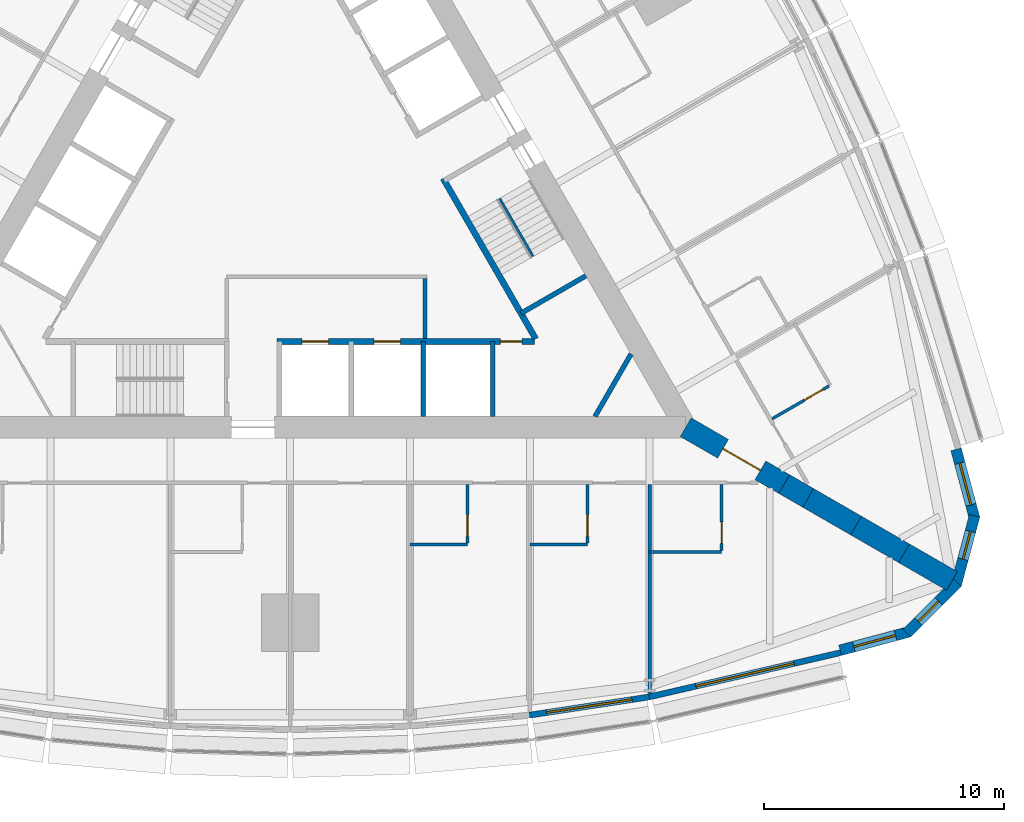
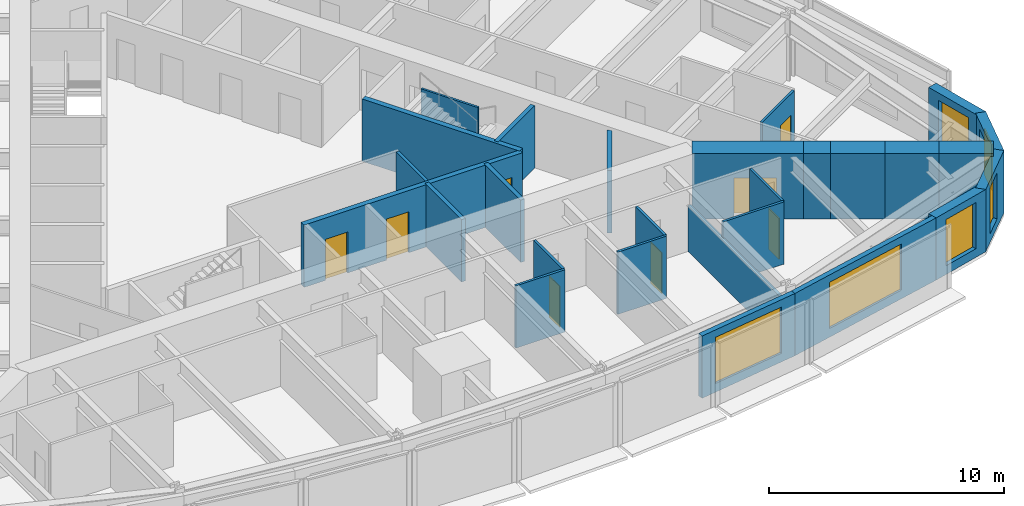
# One storey, part 10 of 14: 27 walls, 8 doors, 6 windows, 14 openings.
"""IFC4 building model written with IfcOpenShell, lengths in metres."""

from ifc_helpers import new_model, si_unit, direction, frame, frame_2d, origin, place, context, subcontext, project, spatial, polyline, rectangle, outline, extrude, material, layer, layer_set, type_object, element, fill, save


model = new_model("IFC4")

# Units and contexts
model_context = context("Model", 3, precision=1e-05, world=origin(), true_north=direction((0.0, 1.0)))
body_context = subcontext(model_context, "Body", "Model", "MODEL_VIEW")
ifc_project = project(units=[si_unit("LENGTHUNIT", "METRE"), si_unit("AREAUNIT", "SQUARE_METRE"), si_unit("VOLUMEUNIT", "CUBIC_METRE"), si_unit("PLANEANGLEUNIT", "RADIAN"), si_unit("MASSUNIT", "GRAM", prefix="KILO")], contexts=[model_context])

# Site, building, storey
site_placement = place(None, origin())
site = spatial("IfcSite", under=ifc_project, at=site_placement, CompositionType="ELEMENT")
building_placement = place(site_placement, origin())
building = spatial("IfcBuilding", under=site, at=building_placement, Name="Trikona Tower", CompositionType="ELEMENT")
storey_placement = place(building_placement, frame((0.0, 0.0, 79.5)))
storey = spatial("IfcBuildingStorey", under=building, at=storey_placement, Name="L20", CompositionType="ELEMENT", Elevation=79.5)

# Wall
ifc_material_1 = material(Name="Metal stud and cement board", Category="gypsum")
ifc_layer_1 = layer(ifc_material_1, 0.1201171875)
ifc_layer_set_1 = layer_set([ifc_layer_1], Name="Bathroom wall 120")
wall_type_1 = type_object("IfcWallType", Name="Bathroom wall 120", PredefinedType="PLUMBINGWALL", material=ifc_layer_set_1)
wall_1_placement = place(storey_placement, frame((5.0, -14.42626953125, 0.0), z_axis=(0.0, 0.0, 1.0), x_axis=(1.0, 0.0, 0.0)))
element("IfcWall", 1, at=wall_1_placement, inside=storey, type_object=wall_type_1, Name="Bathroom wall 2004", PredefinedType="PLUMBINGWALL", context=body_context, shape_type="SweptSolid", body=[
    extrude(rectangle(XDim=2.39990234375, YDim=0.1201171875, at=frame_2d((1.199951171875, 0.0))), origin(), (0.0, 0.0, 1.0), 3.235107421875),
])

# Wall, opening, door
wall_2_placement = place(storey_placement, frame((7.39990234375, -11.92626953125, 0.0), z_axis=(0.0, 0.0, 1.0), x_axis=(0.0, -1.0, 0.0)))
wall_2 = element("IfcWall", 2, at=wall_2_placement, inside=storey, type_object=wall_type_1, Name="Bathroom wall 2004", PredefinedType="PLUMBINGWALL", context=body_context, shape_type="SweptSolid", body=[
    extrude(rectangle(XDim=2.43994140625, YDim=0.1201171875, at=frame_2d((1.219970703125, 0.0))), origin(), (0.0, 0.0, 1.0), 3.235107421875),
])
opening_1_placement = place(wall_2_placement, frame((1.25, 0.0, 0.0)))
opening_1 = element("IfcOpeningElement", 3, at=opening_1_placement, cuts=wall_2, Name="Opening D2", PredefinedType="OPENING", context=body_context, shape_type="SweptSolid", body=[
    extrude(rectangle(XDim=0.89990234375, YDim=2.1298828125, at=frame_2d((0.449951171875, 1.06494140625))), frame((0.0, 0.070068359375, 0.0), z_axis=(0.0, -1.0, 0.0), x_axis=(1.0, 0.0, 0.0)), (0.0, 0.0, 1.0), 0.14013671875),
])
ifc_material_2 = material(Name="Steel door frame with solid-core timber leaf", Category="steel")
door_type_1 = type_object("IfcDoorType", Name="Bathroom door 900x2130", OperationType="SLIDING_TO_LEFT", PredefinedType="DOOR", material=ifc_material_2)
door_1_placement = place(opening_1_placement, origin())
door_1 = element("IfcDoor", 4, at=door_1_placement, inside=storey, type_object=door_type_1, Name="Bathroom door 2004", OperationType="SLIDING_TO_LEFT", OverallHeight=2.1298828125, OverallWidth=0.89990234375, PredefinedType="DOOR", context=body_context, shape_type="SweptSolid", body=[
    extrude(rectangle(XDim=0.89990234375, YDim=2.1298828125, at=frame_2d((0.449951171875, 1.06494140625))), frame((0.0, 0.02490234375, 0.0), z_axis=(0.0, -1.0, 0.0), x_axis=(1.0, 0.0, 0.0)), (0.0, 0.0, 1.0), 0.050048828125),
])
fill(opening_1, door_1)

# Wall
wall_3_placement = place(storey_placement, frame((10.0, -14.42626953125, 0.0), z_axis=(0.0, 0.0, 1.0), x_axis=(1.0, 0.0, 0.0)))
element("IfcWall", 5, at=wall_3_placement, inside=storey, type_object=wall_type_1, Name="Bathroom wall 2005", PredefinedType="PLUMBINGWALL", context=body_context, shape_type="SweptSolid", body=[
    extrude(rectangle(XDim=2.39990234375, YDim=0.1201171875, at=frame_2d((1.199951171875, 0.0))), origin(), (0.0, 0.0, 1.0), 3.235107421875),
])

# Wall, opening, door
wall_4_placement = place(storey_placement, frame((12.39990234375, -11.92626953125, 0.0), z_axis=(0.0, 0.0, 1.0), x_axis=(0.0, -1.0, 0.0)))
wall_4 = element("IfcWall", 6, at=wall_4_placement, inside=storey, type_object=wall_type_1, Name="Bathroom wall 2005", PredefinedType="PLUMBINGWALL", context=body_context, shape_type="SweptSolid", body=[
    extrude(rectangle(XDim=2.43994140625, YDim=0.1201171875, at=frame_2d((1.219970703125, 0.0))), origin(), (0.0, 0.0, 1.0), 3.235107421875),
])
opening_2_placement = place(wall_4_placement, frame((1.25, 0.0, 0.0)))
opening_2 = element("IfcOpeningElement", 7, at=opening_2_placement, cuts=wall_4, Name="Opening D2", PredefinedType="OPENING", context=body_context, shape_type="SweptSolid", body=[
    extrude(rectangle(XDim=0.89990234375, YDim=2.1298828125, at=frame_2d((0.449951171875, 1.06494140625))), frame((0.0, 0.070068359375, 0.0), z_axis=(0.0, -1.0, 0.0), x_axis=(1.0, 0.0, 0.0)), (0.0, 0.0, 1.0), 0.14013671875),
])
door_2_placement = place(opening_2_placement, origin())
door_2 = element("IfcDoor", 8, at=door_2_placement, inside=storey, type_object=door_type_1, Name="Bathroom door 2005", OperationType="SLIDING_TO_LEFT", OverallHeight=2.1298828125, OverallWidth=0.89990234375, PredefinedType="DOOR", context=body_context, shape_type="SweptSolid", body=[
    extrude(rectangle(XDim=0.89990234375, YDim=2.1298828125, at=frame_2d((0.449951171875, 1.06494140625))), frame((0.0, 0.02490234375, 0.0), z_axis=(0.0, -1.0, 0.0), x_axis=(1.0, 0.0, 0.0)), (0.0, 0.0, 1.0), 0.050048828125),
])
fill(opening_2, door_2)

# Wall
wall_5_placement = place(storey_placement, frame((15.0, -14.726318359375, 0.0), z_axis=(0.0, 0.0, 1.0), x_axis=(1.0, 0.0, 0.0)))
element("IfcWall", 9, at=wall_5_placement, inside=storey, type_object=wall_type_1, Name="Bathroom wall 2006", PredefinedType="PLUMBINGWALL", context=body_context, shape_type="SweptSolid", body=[
    extrude(rectangle(XDim=3.0, YDim=0.1201171875, at=frame_2d((1.5, 0.0))), origin(), (0.0, 0.0, 1.0), 3.235107421875),
])

# Wall, opening, door
wall_6_placement = place(storey_placement, frame((18.0, -11.92626953125, 0.0), z_axis=(0.0, 0.0, 1.0), x_axis=(0.0, -1.0, 0.0)))
wall_6 = element("IfcWall", 10, at=wall_6_placement, inside=storey, type_object=wall_type_1, Name="Bathroom wall 2006", PredefinedType="PLUMBINGWALL", context=body_context, shape_type="SweptSolid", body=[
    extrude(rectangle(XDim=2.739990234375, YDim=0.1201171875, at=frame_2d((1.3701171875, 0.0))), origin(), (0.0, 0.0, 1.0), 3.235107421875),
])
opening_3_placement = place(wall_6_placement, frame((1.550048828125, 0.0, 0.0)))
opening_3 = element("IfcOpeningElement", 11, at=opening_3_placement, cuts=wall_6, Name="Opening D2", PredefinedType="OPENING", context=body_context, shape_type="SweptSolid", body=[
    extrude(rectangle(XDim=0.89990234375, YDim=2.1298828125, at=frame_2d((0.449951171875, 1.06494140625))), frame((0.0, 0.070068359375, 0.0), z_axis=(0.0, -1.0, 0.0), x_axis=(1.0, 0.0, 0.0)), (0.0, 0.0, 1.0), 0.14013671875),
])
door_3_placement = place(opening_3_placement, origin())
door_3 = element("IfcDoor", 12, at=door_3_placement, inside=storey, type_object=door_type_1, Name="Bathroom door 2006", OperationType="SLIDING_TO_LEFT", OverallHeight=2.1298828125, OverallWidth=0.89990234375, PredefinedType="DOOR", context=body_context, shape_type="SweptSolid", body=[
    extrude(rectangle(XDim=0.89990234375, YDim=2.1298828125, at=frame_2d((0.449951171875, 1.06494140625))), frame((0.0, 0.02490234375, 0.0), z_axis=(0.0, -1.0, 0.0), x_axis=(1.0, 0.0, 0.0)), (0.0, 0.0, 1.0), 0.050048828125),
])
fill(opening_3, door_3)

wall_7_placement = place(storey_placement, frame((20.10791015625, -9.17529296875, 0.0), z_axis=(0.0, 0.0, 1.0), x_axis=(0.866035715982, 0.499982138324, 0.0)))
wall_7 = element("IfcWall", 13, at=wall_7_placement, inside=storey, type_object=wall_type_1, Name="Bathroom wall 2007", PredefinedType="PLUMBINGWALL", context=body_context, shape_type="SweptSolid", body=[
    extrude(rectangle(XDim=2.73974609375, YDim=0.1201171875, at=frame_2d((1.369873046875, 0.0))), origin(), (0.0, 0.0, 1.0), 3.235107421875),
])
opening_4_placement = place(wall_7_placement, frame((1.550048828125, 0.0, 0.0)))
opening_4 = element("IfcOpeningElement", 14, at=opening_4_placement, cuts=wall_7, Name="Opening D2", PredefinedType="OPENING", context=body_context, shape_type="SweptSolid", body=[
    extrude(rectangle(XDim=0.89990234375, YDim=2.1298828125, at=frame_2d((0.449951171875, 1.06494140625))), frame((0.0, 0.070068359375, 0.0), z_axis=(0.0, -1.0, 0.0), x_axis=(1.0, 0.0, 0.0)), (0.0, 0.0, 1.0), 0.14013671875),
])
door_4_placement = place(opening_4_placement, origin())
door_4 = element("IfcDoor", 15, at=door_4_placement, inside=storey, type_object=door_type_1, Name="Bathroom door 2007", OperationType="SLIDING_TO_LEFT", OverallHeight=2.1298828125, OverallWidth=0.89990234375, PredefinedType="DOOR", context=body_context, shape_type="SweptSolid", body=[
    extrude(rectangle(XDim=0.89990234375, YDim=2.1298828125, at=frame_2d((0.449951171875, 1.06494140625))), frame((0.0, 0.02490234375, 0.0), z_axis=(0.0, -1.0, 0.0), x_axis=(1.0, 0.0, 0.0)), (0.0, 0.0, 1.0), 0.050048828125),
])
fill(opening_4, door_4)

# Wall, opening, window
ifc_material_3 = material(Name="Brick-faced precast concrete", Category="masonry")
ifc_layer_2 = layer(ifc_material_3, 0.449951171875)
ifc_layer_set_2 = layer_set([ifc_layer_2], Name="Brick-faced corner wall 450")
wall_type_2 = type_object("IfcWallType", Name="Brick-faced corner wall 450", PredefinedType="SOLIDWALL", material=ifc_layer_set_2)
wall_8_placement = place(storey_placement, frame((22.94189453125, -18.835205078125, 0.0), z_axis=(0.0, 0.0, 1.0), x_axis=(0.965930548995, 0.258801419081, 0.0)))
wall_8 = element("IfcWall", 16, at=wall_8_placement, inside=storey, type_object=wall_type_2, Name="External wall L20-08", PredefinedType="SOLIDWALL", context=body_context, shape_type="SweptSolid", body=[
    extrude(rectangle(XDim=2.988525390625, YDim=0.449951171875, at=frame_2d((1.494140625, 0.0))), origin(), (0.0, 0.0, 1.0), 3.235107421875),
])
opening_5_placement = place(wall_8_placement, frame((0.59423828125, 0.0, 0.449951171875)))
opening_5 = element("IfcOpeningElement", 17, at=opening_5_placement, cuts=wall_8, Name="Opening W1824", PredefinedType="OPENING", context=body_context, shape_type="SweptSolid", body=[
    extrude(rectangle(XDim=1.800048828125, YDim=2.39990234375, at=frame_2d((0.89990234375, 1.199951171875))), frame((0.0, 0.23486328125, 0.0), z_axis=(0.0, -1.0, 0.0), x_axis=(1.0, 0.0, 0.0)), (0.0, 0.0, 1.0), 0.469970703125),
])
ifc_material_4 = material(Name="Aluminium-framed double glazing", Category="aluminium")
window_type_1 = type_object("IfcWindowType", Name="Window 1800x2400", PartitioningType="SINGLE_PANEL", PredefinedType="WINDOW", material=ifc_material_4)
window_1_placement = place(opening_5_placement, origin())
window_1 = element("IfcWindow", 18, at=window_1_placement, inside=storey, type_object=window_type_1, Name="Window 2006", OverallHeight=2.39990234375, OverallWidth=1.800048828125, PartitioningType="SINGLE_PANEL", PredefinedType="WINDOW", context=body_context, shape_type="SweptSolid", body=[
    extrude(rectangle(XDim=1.800048828125, YDim=2.39990234375, at=frame_2d((0.89990234375, 1.199951171875))), frame((0.0, 0.030029296875, 0.0), z_axis=(0.0, -1.0, 0.0), x_axis=(1.0, 0.0, 0.0)), (0.0, 0.0, 1.0), 0.06005859375),
])
fill(opening_5, window_1)

wall_9_placement = place(storey_placement, frame((25.727783203125, -18.1201171875, 0.0), z_axis=(0.0, 0.0, 1.0), x_axis=(0.707025086683, 0.707188466253, 0.0)))
wall_9 = element("IfcWall", 19, at=wall_9_placement, inside=storey, type_object=wall_type_2, Name="External wall L20-09", PredefinedType="SOLIDWALL", context=body_context, shape_type="SweptSolid", body=[
    extrude(outline(polyline([(2.988525390625, 0.22509765625), (2.929931640625, 0.22509765625), (2.4375, 0.093017578125), (2.402099609375, 0.22509765625), (0.0, 0.22509765625), (0.0, -0.22509765625), (2.988525390625, -0.22509765625), (2.988525390625, 0.22509765625)])), origin(), (0.0, 0.0, 1.0), 3.235107421875),
])
opening_6_placement = place(wall_9_placement, frame((0.676025390625, 0.0, 0.449951171875)))
opening_6 = element("IfcOpeningElement", 20, at=opening_6_placement, cuts=wall_9, Name="Opening W1224", PredefinedType="OPENING", context=body_context, shape_type="SweptSolid", body=[
    extrude(rectangle(XDim=1.199951171875, YDim=2.39990234375, at=frame_2d((0.60009765625, 1.199951171875))), frame((0.0, 0.23486328125, 0.0), z_axis=(0.0, -1.0, 0.0), x_axis=(1.0, 0.0, 0.0)), (0.0, 0.0, 1.0), 0.469970703125),
])
ifc_material_5 = material(Name="Aluminium-framed double glazing", Category="aluminium")
window_type_2 = type_object("IfcWindowType", Name="Window 1200x2400", PartitioningType="SINGLE_PANEL", PredefinedType="WINDOW", material=ifc_material_5)
window_2_placement = place(opening_6_placement, origin())
window_2 = element("IfcWindow", 21, at=window_2_placement, inside=storey, type_object=window_type_2, Name="Window 2006", OverallHeight=2.39990234375, OverallWidth=1.199951171875, PartitioningType="SINGLE_PANEL", PredefinedType="WINDOW", context=body_context, shape_type="SweptSolid", body=[
    extrude(rectangle(XDim=1.199951171875, YDim=2.39990234375, at=frame_2d((0.60009765625, 1.199951171875))), frame((0.0, 0.030029296875, 0.0), z_axis=(0.0, -1.0, 0.0), x_axis=(1.0, 0.0, 0.0)), (0.0, 0.0, 1.0), 0.06005859375),
])
fill(opening_6, window_2)

wall_10_placement = place(storey_placement, frame((27.78271484375, -16.107666015625, 0.0), z_axis=(0.0, 0.0, 1.0), x_axis=(0.258801419081, 0.965930548995, 0.0)))
wall_10 = element("IfcWall", 22, at=wall_10_placement, inside=storey, type_object=wall_type_2, Name="External wall L20-10", PredefinedType="SOLIDWALL", context=body_context, shape_type="SweptSolid", body=[
    extrude(outline(polyline([(2.988525390625, 0.22509765625), (0.58642578125, 0.22509765625), (0.55126953125, 0.09326171875), (0.0595703125, 0.22509765625), (0.0, 0.22509765625), (0.0, -0.22509765625), (2.988525390625, -0.22509765625), (2.988525390625, 0.22509765625)])), origin(), (0.0, 0.0, 1.0), 3.235107421875),
])
opening_7_placement = place(wall_10_placement, frame((1.112548828125, 0.0, 0.449951171875)))
opening_7 = element("IfcOpeningElement", 23, at=opening_7_placement, cuts=wall_10, Name="Opening W1224", PredefinedType="OPENING", context=body_context, shape_type="SweptSolid", body=[
    extrude(rectangle(XDim=1.199951171875, YDim=2.39990234375, at=frame_2d((0.60009765625, 1.199951171875))), frame((0.0, 0.23486328125, 0.0), z_axis=(0.0, -1.0, 0.0), x_axis=(1.0, 0.0, 0.0)), (0.0, 0.0, 1.0), 0.469970703125),
])
window_3_placement = place(opening_7_placement, origin())
window_3 = element("IfcWindow", 24, at=window_3_placement, inside=storey, type_object=window_type_2, Name="Window 2007", OverallHeight=2.39990234375, OverallWidth=1.199951171875, PartitioningType="SINGLE_PANEL", PredefinedType="WINDOW", context=body_context, shape_type="SweptSolid", body=[
    extrude(rectangle(XDim=1.199951171875, YDim=2.39990234375, at=frame_2d((0.60009765625, 1.199951171875))), frame((0.0, 0.030029296875, 0.0), z_axis=(0.0, -1.0, 0.0), x_axis=(1.0, 0.0, 0.0)), (0.0, 0.0, 1.0), 0.06005859375),
])
fill(opening_7, window_3)

wall_11_placement = place(storey_placement, frame((28.55615234375, -13.33740234375, 0.0), z_axis=(0.0, 0.0, 1.0), x_axis=(-0.258780998834, 0.965936019953, 0.0)))
wall_11 = element("IfcWall", 25, at=wall_11_placement, inside=storey, type_object=wall_type_2, Name="External wall L20-11", PredefinedType="SOLIDWALL", context=body_context, shape_type="SweptSolid", body=[
    extrude(rectangle(XDim=2.98876953125, YDim=0.449951171875, at=frame_2d((1.494384765625, 0.0))), origin(), (0.0, 0.0, 1.0), 3.235107421875),
])
opening_8_placement = place(wall_11_placement, frame((0.59423828125, 0.0, 0.449951171875)))
opening_8 = element("IfcOpeningElement", 26, at=opening_8_placement, cuts=wall_11, Name="Opening W1824", PredefinedType="OPENING", context=body_context, shape_type="SweptSolid", body=[
    extrude(rectangle(XDim=1.800048828125, YDim=2.39990234375, at=frame_2d((0.89990234375, 1.199951171875))), frame((0.0, 0.23486328125, 0.0), z_axis=(0.0, -1.0, 0.0), x_axis=(1.0, 0.0, 0.0)), (0.0, 0.0, 1.0), 0.469970703125),
])
window_4_placement = place(opening_8_placement, origin())
window_4 = element("IfcWindow", 27, at=window_4_placement, inside=storey, type_object=window_type_1, Name="Window 2007", OverallHeight=2.39990234375, OverallWidth=1.800048828125, PartitioningType="SINGLE_PANEL", PredefinedType="WINDOW", context=body_context, shape_type="SweptSolid", body=[
    extrude(rectangle(XDim=1.800048828125, YDim=2.39990234375, at=frame_2d((0.89990234375, 1.199951171875))), frame((0.0, 0.030029296875, 0.0), z_axis=(0.0, -1.0, 0.0), x_axis=(1.0, 0.0, 0.0)), (0.0, 0.0, 1.0), 0.06005859375),
])
fill(opening_8, window_4)

# Wall, opening, door
ifc_material_6 = material(Name="Concrete f'c 10000 psi", Category="concrete")
ifc_layer_3 = layer(ifc_material_6, 0.89990234375)
ifc_layer_set_3 = layer_set([ifc_layer_3], Name="Buttress wall 900")
wall_type_3 = type_object("IfcWallType", Name="Buttress wall 900", PredefinedType="SHEAR", material=ifc_layer_set_3)
wall_12_placement = place(storey_placement, frame((16.5, -9.5263671875, 0.0), z_axis=(0.0, 0.0, 1.0), x_axis=(0.866031398331, -0.499989616998, 0.0)))
wall_12 = element("IfcWall", 28, at=wall_12_placement, inside=storey, type_object=wall_type_3, Name="Buttress wall 1", PredefinedType="SHEAR", context=body_context, shape_type="SweptSolid", body=[
    extrude(rectangle(XDim=4.74609375, YDim=0.89990234375, at=frame_2d((2.373046875, 0.0))), origin(), (0.0, 0.0, 1.0), 3.39990234375),
])
opening_9_placement = place(wall_12_placement, frame((1.800048828125, 0.0, 0.0)))
opening_9 = element("IfcOpeningElement", 29, at=opening_9_placement, cuts=wall_12, Name="Opening D10", PredefinedType="OPENING", context=body_context, shape_type="SweptSolid", body=[
    extrude(rectangle(XDim=1.800048828125, YDim=2.1298828125, at=frame_2d((0.89990234375, 1.06494140625))), frame((0.0, 0.4599609375, 0.0), z_axis=(0.0, -1.0, 0.0), x_axis=(1.0, 0.0, 0.0)), (0.0, 0.0, 1.0), 0.919921875),
])
ifc_material_7 = material(Name="Hollow metal door and frame", Category="steel")
door_type_2 = type_object("IfcDoorType", Name="Cross-corridor door pair 1800x2130", OperationType="DOUBLE_DOOR_DOUBLE_SWING", PredefinedType="DOOR", material=ifc_material_7)
door_5_placement = place(opening_9_placement, origin())
door_5 = element("IfcDoor", 30, at=door_5_placement, inside=storey, type_object=door_type_2, Name="Cross-corridor door 1", OperationType="DOUBLE_DOOR_DOUBLE_SWING", OverallHeight=2.1298828125, OverallWidth=1.800048828125, PredefinedType="DOOR", context=body_context, shape_type="SweptSolid", body=[
    extrude(rectangle(XDim=1.800048828125, YDim=2.1298828125, at=frame_2d((0.89990234375, 1.06494140625))), frame((0.0, 0.02490234375, 0.0), z_axis=(0.0, -1.0, 0.0), x_axis=(1.0, 0.0, 0.0)), (0.0, 0.0, 1.0), 0.050048828125),
])
fill(opening_9, door_5)

# Walls
wall_13_placement = place(storey_placement, frame((20.6103515625, -11.8994140625, 0.0), z_axis=(0.0, 0.0, 1.0), x_axis=(0.866009537788, -0.500027479704, 0.0)))
element("IfcWall", 31, at=wall_13_placement, inside=storey, type_object=wall_type_3, Name="Buttress wall 1 part 2", PredefinedType="SHEAR", context=body_context, shape_type="SweptSolid", body=[
    extrude(rectangle(XDim=1.15478515625, YDim=0.89990234375, at=frame_2d((0.577392578125, 0.0))), origin(), (0.0, 0.0, 1.0), 3.39990234375),
])
for number, where, z_axis, x_axis, name in (
    (32, (21.6103515625, -12.476806640625, 0.0), (0.0, 0.0, 1.0), (0.866055313784, -0.499948190782, 0.0), "Buttress wall 1 part 3"),
    (33, (23.6103515625, -13.63134765625, 0.0), (0.0, 0.0, 1.0), (0.866009537788, -0.500027479704, 0.0), "Buttress wall 1 part 4"),
    (34, (25.6103515625, -14.7861328125, 0.0), (0.0, 0.0, 1.0), (0.866009537788, -0.500027479704, 0.0), "Buttress wall 1 part 5"),
):
    element("IfcWall", number, at=place(storey_placement, frame(where, z_axis=z_axis, x_axis=x_axis)), inside=storey, type_object=wall_type_3, Name=name, PredefinedType="SHEAR", context=body_context, shape_type="SweptSolid", body=[
        extrude(rectangle(XDim=2.309326171875, YDim=0.89990234375, at=frame_2d((1.15478515625, 0.0))), origin(), (0.0, 0.0, 1.0), 3.39990234375),
    ])

# Wall, openings, doors
ifc_material_8 = material(Name="Concrete f'c 8000 psi", Category="concrete")
ifc_layer_4 = layer(ifc_material_8, 0.25)
ifc_layer_set_4 = layer_set([ifc_layer_4], Name="Hub wall 250")
wall_type_4 = type_object("IfcWallType", Name="Hub wall 250", PredefinedType="SOLIDWALL", material=ifc_layer_set_4)
wall_14_placement = place(storey_placement, frame((-0.550048828125, -5.951416015625, 0.0), z_axis=(0.0, 0.0, 1.0), x_axis=(1.0, 0.0, 0.0)))
wall_14 = element("IfcWall", 35, at=wall_14_placement, inside=storey, type_object=wall_type_4, Name="Lift lobby wall A2", PredefinedType="SOLIDWALL", context=body_context, shape_type="SweptSolid", body=[
    extrude(rectangle(XDim=10.73291015625, YDim=0.25, at=frame_2d((5.366455078125, 0.0))), origin(), (0.0, 0.0, 1.0), 3.235107421875),
])
opening_10_placement = place(wall_14_placement, frame((9.31396484375, 0.0, 0.0)))
opening_10 = element("IfcOpeningElement", 36, at=opening_10_placement, cuts=wall_14, Name="Opening D14", PredefinedType="OPENING", context=body_context, shape_type="SweptSolid", body=[
    extrude(rectangle(XDim=0.89990234375, YDim=2.1298828125, at=frame_2d((0.449951171875, 1.06494140625))), frame((0.0, 0.135009765625, 0.0), z_axis=(0.0, -1.0, 0.0), x_axis=(1.0, 0.0, 0.0)), (0.0, 0.0, 1.0), 0.27001953125),
])
opening_11_placement = place(wall_14_placement, frame((1.050048828125, 0.0, 0.0)))
opening_11 = element("IfcOpeningElement", 37, at=opening_11_placement, cuts=wall_14, Name="Opening LD", PredefinedType="OPENING", context=body_context, shape_type="SweptSolid", body=[
    extrude(rectangle(XDim=1.10009765625, YDim=2.1298828125, at=frame_2d((0.550048828125, 1.06494140625))), frame((0.0, 0.135009765625, 0.0), z_axis=(0.0, -1.0, 0.0), x_axis=(1.0, 0.0, 0.0)), (0.0, 0.0, 1.0), 0.27001953125),
])
opening_12_placement = place(wall_14_placement, frame((4.050048828125, 0.0, 0.0)))
opening_12 = element("IfcOpeningElement", 38, at=opening_12_placement, cuts=wall_14, Name="Opening LD", PredefinedType="OPENING", context=body_context, shape_type="SweptSolid", body=[
    extrude(rectangle(XDim=1.10009765625, YDim=2.1298828125, at=frame_2d((0.550048828125, 1.06494140625))), frame((0.0, 0.135009765625, 0.0), z_axis=(0.0, -1.0, 0.0), x_axis=(1.0, 0.0, 0.0)), (0.0, 0.0, 1.0), 0.27001953125),
])
ifc_material_9 = material(Name="Stainless steel lift landing door", Category="steel")
door_type_3 = type_object("IfcDoorType", Name="Lift landing door 1100x2130", OperationType="DOUBLE_DOOR_SLIDING", PredefinedType="USERDEFINED", material=ifc_material_9)
door_6_placement = place(opening_11_placement, origin())
door_6 = element("IfcDoor", 39, at=door_6_placement, inside=storey, type_object=door_type_3, Name="Lift landing door FF1", ObjectType="LIFT LANDING DOOR", OperationType="DOUBLE_DOOR_SLIDING", OverallHeight=2.1298828125, OverallWidth=1.10009765625, PredefinedType="USERDEFINED", context=body_context, shape_type="SweptSolid", body=[
    extrude(rectangle(XDim=1.10009765625, YDim=2.1298828125, at=frame_2d((0.550048828125, 1.06494140625))), frame((0.0, 0.02490234375, 0.0), z_axis=(0.0, -1.0, 0.0), x_axis=(1.0, 0.0, 0.0)), (0.0, 0.0, 1.0), 0.050048828125),
])
fill(opening_11, door_6)
door_7_placement = place(opening_12_placement, origin())
door_7 = element("IfcDoor", 40, at=door_7_placement, inside=storey, type_object=door_type_3, Name="Lift landing door FF2", ObjectType="LIFT LANDING DOOR", OperationType="DOUBLE_DOOR_SLIDING", OverallHeight=2.1298828125, OverallWidth=1.10009765625, PredefinedType="USERDEFINED", context=body_context, shape_type="SweptSolid", body=[
    extrude(rectangle(XDim=1.10009765625, YDim=2.1298828125, at=frame_2d((0.550048828125, 1.06494140625))), frame((0.0, 0.02490234375, 0.0), z_axis=(0.0, -1.0, 0.0), x_axis=(1.0, 0.0, 0.0)), (0.0, 0.0, 1.0), 0.050048828125),
])
fill(opening_12, door_7)
ifc_material_10 = material(Name="Hollow metal door and frame", Category="steel")
door_type_4 = type_object("IfcDoorType", Name="Service room door 900x2130", OperationType="SINGLE_SWING_LEFT", PredefinedType="DOOR", material=ifc_material_10)
door_8_placement = place(opening_10_placement, origin())
door_8 = element("IfcDoor", 41, at=door_8_placement, inside=storey, type_object=door_type_4, Name="Door Housekeeping store HKS", OperationType="SINGLE_SWING_RIGHT", OverallHeight=2.1298828125, OverallWidth=0.89990234375, PredefinedType="DOOR", context=body_context, shape_type="SweptSolid", body=[
    extrude(rectangle(XDim=0.89990234375, YDim=2.1298828125, at=frame_2d((0.449951171875, 1.06494140625))), frame((0.0, 0.02490234375, 0.0), z_axis=(0.0, -1.0, 0.0), x_axis=(1.0, 0.0, 0.0)), (0.0, 0.0, 1.0), 0.050048828125),
])
fill(opening_10, door_8)

# Wall
wall_15_placement = place(storey_placement, frame((10.245361328125, -5.843017578125, 0.0), z_axis=(0.0, 0.0, 1.0), x_axis=(-0.499993009313, 0.866029439822, 0.0)))
element("IfcWall", 42, at=wall_15_placement, inside=storey, type_object=wall_type_4, Name="Lift lobby wall B1", PredefinedType="SOLIDWALL", context=body_context, shape_type="SweptSolid", body=[
    extrude(rectangle(XDim=7.73291015625, YDim=0.25, at=frame_2d((3.866455078125, 0.0))), origin(), (0.0, 0.0, 1.0), 3.235107421875),
])

# Wall, opening, window
ifc_material_11 = material(Name="Insulated precast concrete spandrel panel", Category="concrete")
ifc_layer_5 = layer(ifc_material_11, 0.25)
ifc_layer_set_5 = layer_set([ifc_layer_5], Name="Inner skin wall 250")
wall_type_5 = type_object("IfcWallType", Name="Inner skin wall 250", PredefinedType="STANDARD", material=ifc_layer_set_5)
wall_16_placement = place(storey_placement, frame((9.981201171875, -21.540283203125, 0.0), z_axis=(0.0, 0.0, 1.0), x_axis=(0.988615403399, 0.150464561152, 0.0)))
wall_16 = element("IfcWall", 43, at=wall_16_placement, inside=storey, type_object=wall_type_5, Name="External wall L20-06", PredefinedType="STANDARD", context=body_context, shape_type="SweptSolid", body=[
    extrude(rectangle(XDim=5.0576171875, YDim=0.25, at=frame_2d((2.52880859375, 0.0))), origin(), (0.0, 0.0, 1.0), 3.235107421875),
])
opening_13_placement = place(wall_16_placement, frame((0.728759765625, 0.0, 0.449951171875)))
opening_13 = element("IfcOpeningElement", 44, at=opening_13_placement, cuts=wall_16, Name="Opening W3624", PredefinedType="OPENING", context=body_context, shape_type="SweptSolid", body=[
    extrude(rectangle(XDim=3.60009765625, YDim=2.39990234375, at=frame_2d((1.800048828125, 1.199951171875))), frame((0.0, 0.135009765625, 0.0), z_axis=(0.0, -1.0, 0.0), x_axis=(1.0, 0.0, 0.0)), (0.0, 0.0, 1.0), 0.27001953125),
])
ifc_material_12 = material(Name="Aluminium-framed double glazing", Category="aluminium")
window_type_3 = type_object("IfcWindowType", Name="Window 3600x2400", PartitioningType="SINGLE_PANEL", PredefinedType="WINDOW", material=ifc_material_12)
window_5_placement = place(opening_13_placement, origin())
window_5 = element("IfcWindow", 45, at=window_5_placement, inside=storey, type_object=window_type_3, Name="Window 2005", OverallHeight=2.39990234375, OverallWidth=3.60009765625, PartitioningType="SINGLE_PANEL", PredefinedType="WINDOW", context=body_context, shape_type="SweptSolid", body=[
    extrude(rectangle(XDim=3.60009765625, YDim=2.39990234375, at=frame_2d((1.800048828125, 1.199951171875))), frame((0.0, 0.030029296875, 0.0), z_axis=(0.0, -1.0, 0.0), x_axis=(1.0, 0.0, 0.0)), (0.0, 0.0, 1.0), 0.06005859375),
])
fill(opening_13, window_5)

wall_17_placement = place(storey_placement, frame((14.9716796875, -20.78125, 0.0), z_axis=(0.0, 0.0, 1.0), x_axis=(0.974279327392, 0.225343720163, 0.0)))
wall_17 = element("IfcWall", 46, at=wall_17_placement, inside=storey, type_object=wall_type_5, Name="External wall L20-07", PredefinedType="STANDARD", context=body_context, shape_type="SweptSolid", body=[
    extrude(rectangle(XDim=8.211181640625, YDim=0.25, at=frame_2d((4.10546875, 0.0))), origin(), (0.0, 0.0, 1.0), 3.235107421875),
])
opening_14_placement = place(wall_17_placement, frame((2.005615234375, 0.0, 0.449951171875)))
opening_14 = element("IfcOpeningElement", 47, at=opening_14_placement, cuts=wall_17, Name="Opening W4224", PredefinedType="OPENING", context=body_context, shape_type="SweptSolid", body=[
    extrude(rectangle(XDim=4.199951171875, YDim=2.39990234375, at=frame_2d((2.10009765625, 1.199951171875))), frame((0.0, 0.135009765625, 0.0), z_axis=(0.0, -1.0, 0.0), x_axis=(1.0, 0.0, 0.0)), (0.0, 0.0, 1.0), 0.27001953125),
])
ifc_material_13 = material(Name="Aluminium-framed double glazing", Category="aluminium")
window_type_4 = type_object("IfcWindowType", Name="Window 4200x2400", PartitioningType="SINGLE_PANEL", PredefinedType="WINDOW", material=ifc_material_13)
window_6_placement = place(opening_14_placement, origin())
window_6 = element("IfcWindow", 48, at=window_6_placement, inside=storey, type_object=window_type_4, Name="Window 2006", OverallHeight=2.39990234375, OverallWidth=4.199951171875, PartitioningType="SINGLE_PANEL", PredefinedType="WINDOW", context=body_context, shape_type="SweptSolid", body=[
    extrude(rectangle(XDim=4.199951171875, YDim=2.39990234375, at=frame_2d((2.10009765625, 1.199951171875))), frame((0.0, 0.030029296875, 0.0), z_axis=(0.0, -1.0, 0.0), x_axis=(1.0, 0.0, 0.0)), (0.0, 0.0, 1.0), 0.06005859375),
])
fill(opening_14, window_6)

# Walls
ifc_material_14 = material(Name="Metal stud and gypsum board, 2-hour shaft wall", Category="gypsum")
ifc_layer_6 = layer(ifc_material_14, 0.14990234375)
ifc_layer_set_6 = layer_set([ifc_layer_6], Name="Lobby wall 150")
wall_type_6 = type_object("IfcWallType", Name="Lobby wall 150", PredefinedType="PARTITIONING", material=ifc_layer_set_6)
wall_18_placement = place(storey_placement, frame((5.625, -5.826416015625, 0.0), z_axis=(0.0, 0.0, 1.0), x_axis=(0.0, 1.0, 0.0)))
element("IfcWall", 49, at=wall_18_placement, inside=storey, type_object=wall_type_6, Name="Fire service lift lobby wall 3", PredefinedType="PARTITIONING", context=body_context, shape_type="SweptSolid", body=[
    extrude(rectangle(XDim=2.5, YDim=0.14990234375, at=frame_2d((1.25, 0.0))), origin(), (0.0, 0.0, 1.0), 3.235107421875),
])
ifc_material_15 = material(Name="Metal stud and gypsum board, 1-hour acoustic", Category="gypsum")
ifc_layer_7 = layer(ifc_material_15, 0.14990234375)
ifc_layer_set_7 = layer_set([ifc_layer_7], Name="Party wall 150")
wall_type_7 = type_object("IfcWallType", Name="Party wall 150", PredefinedType="PARTITIONING", material=ifc_layer_set_7)
wall_19_placement = place(storey_placement, frame((15.0, -11.92626953125, 0.0), z_axis=(0.0, 0.0, 1.0), x_axis=(0.0, -1.0, 0.0)))
element("IfcWall", 50, at=wall_19_placement, inside=storey, type_object=wall_type_7, Name="Partition L20 F1 u15", PredefinedType="PARTITIONING", context=body_context, shape_type="SweptSolid", body=[
    extrude(rectangle(XDim=8.72021484375, YDim=0.14990234375, at=frame_2d((4.360107421875, 0.0))), origin(), (0.0, 0.0, 1.0), 2.38916015625),
])
ifc_material_16 = material(Name="Concrete f'c 8000 psi", Category="concrete")
ifc_layer_8 = layer(ifc_material_16, 0.199951171875)
ifc_layer_set_8 = layer_set([ifc_layer_8], Name="Shaft wall 200")
wall_type_8 = type_object("IfcWallType", Name="Shaft wall 200", PredefinedType="SOLIDWALL", material=ifc_layer_set_8)
for number, where, z_axis, x_axis, name in (
    (51, (5.550048828125, -5.951416015625, 0.0), (0.0, 0.0, 1.0), (0.0, -1.0, 0.0), "Shaft wall A5"),
    (52, (8.449951171875, -5.951416015625, 0.0), (0.0, 0.0, 1.0), (0.0, -1.0, 0.0), "Shaft wall A6"),
):
    element("IfcWall", number, at=place(storey_placement, frame(where, z_axis=z_axis, x_axis=x_axis)), inside=storey, type_object=wall_type_8, Name=name, PredefinedType="SOLIDWALL", context=body_context, shape_type="SweptSolid", body=[
        extrude(rectangle(XDim=3.125, YDim=0.199951171875, at=frame_2d((1.5625, 0.0))), origin(), (0.0, 0.0, 1.0), 3.235107421875),
    ])
wall_20_placement = place(storey_placement, frame((14.219482421875, -6.476318359375, 0.0), z_axis=(0.0, 0.0, 1.0), x_axis=(-0.499952404951, -0.866052881055, 0.0)))
element("IfcWall", 53, at=wall_20_placement, inside=storey, type_object=wall_type_8, Name="Riser wall L20-RS1", PredefinedType="SOLIDWALL", context=body_context, shape_type="SweptSolid", body=[
    extrude(rectangle(XDim=3.002197265625, YDim=0.199951171875, at=frame_2d((1.5009765625, 0.0))), origin(), (0.0, 0.0, 1.0), 3.235107421875),
])
ifc_material_17 = material(Name="Concrete f'c 8000 psi", Category="concrete")
ifc_layer_9 = layer(ifc_material_17, 0.199951171875)
ifc_layer_set_9 = layer_set([ifc_layer_9], Name="Shaft wall 200 load-bearing")
wall_type_9 = type_object("IfcWallType", Name="Shaft wall 200 load-bearing", PredefinedType="SOLIDWALL", material=ifc_layer_set_9)
wall_21_placement = place(storey_placement, frame((9.62890625, -4.775390625, 0.0), z_axis=(0.0, 0.0, 1.0), x_axis=(0.866022959057, 0.500004234368, 0.0)))
element("IfcWall", 54, at=wall_21_placement, inside=storey, type_object=wall_type_9, Name="Shaft wall B1", PredefinedType="SOLIDWALL", context=body_context, shape_type="SweptSolid", body=[
    extrude(rectangle(XDim=3.125, YDim=0.199951171875, at=frame_2d((1.5625, 0.0))), origin(), (0.0, 0.0, 1.0), 3.235107421875),
])
ifc_material_18 = material(Name="Concrete f'c 5000 psi", Category="concrete")
ifc_layer_10 = layer(ifc_material_18, 0.10009765625)
ifc_layer_set_10 = layer_set([ifc_layer_10], Name="Stair spine wall 100")
wall_type_10 = type_object("IfcWallType", Name="Stair spine wall 100", PredefinedType="SOLIDWALL", material=ifc_layer_set_10)
wall_22_placement = place(storey_placement, frame((10.134765625, -2.4013671875, 0.0), z_axis=(0.0, 0.0, 1.0), x_axis=(-0.499992232847, 0.866029888106, 0.0)))
element("IfcWall", 55, at=wall_22_placement, inside=storey, type_object=wall_type_10, Name="Stair B spine wall L20", PredefinedType="SOLIDWALL", context=body_context, shape_type="SweptSolid", body=[
    extrude(rectangle(XDim=2.7939453125, YDim=0.10009765625, at=frame_2d((1.39697265625, 0.0))), origin(), (0.0, 0.0, 1.0), 3.39990234375),
])

save(model, "model.ifc")
